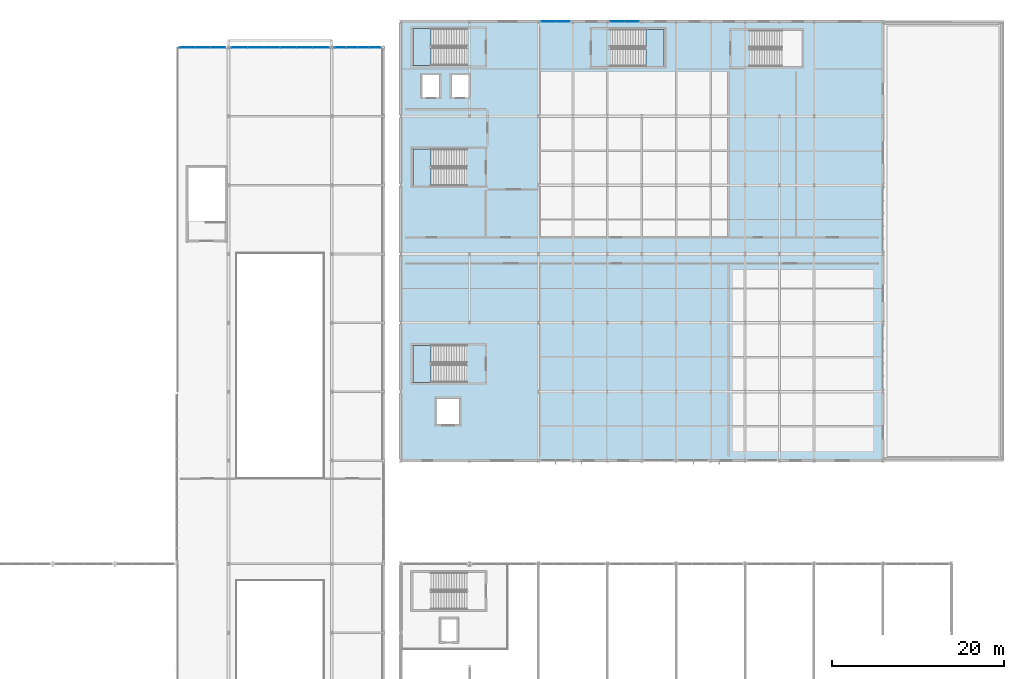
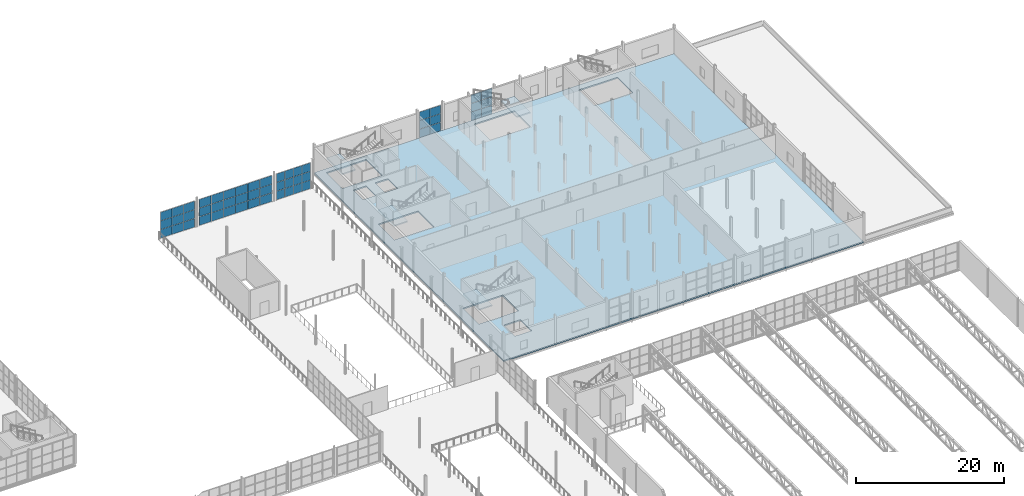
# One storey, part 114 of 143: 51 plates, 5 slabs, 9 elements without a shape of their own.
"""IFC4 building model written with IfcOpenShell, lengths in metres."""

from ifc_helpers import new_model, si_unit, derived_unit, direction, frame, origin, origin_2d, place, context, subcontext, project, spatial, polyline, rectangle, outline, extrude, material, layer, layer_set, type_object, element, aggregate, save


model = new_model("IFC4")

# Units and contexts
model_context = context("Model", 3, precision=1e-05, world=origin(), true_north=direction((0.0, 1.0)))
body_context = subcontext(model_context, "Body", "Model", "MODEL_VIEW")
ifc_project = project(units=[si_unit("LENGTHUNIT", "METRE"), si_unit("AREAUNIT", "SQUARE_METRE"), si_unit("VOLUMEUNIT", "CUBIC_METRE"), si_unit("PLANEANGLEUNIT", "RADIAN"), si_unit("MASSUNIT", "GRAM", prefix="KILO"), derived_unit("THERMALTRANSMITTANCEUNIT", [(si_unit("POWERUNIT", "WATT"), 1), (si_unit("LENGTHUNIT", "METRE"), -2), (si_unit("THERMODYNAMICTEMPERATUREUNIT", "KELVIN"), -1)])], contexts=[model_context])

# Site, building, storey
site_placement = place(None, origin())
site = spatial("IfcSite", under=ifc_project, at=site_placement, CompositionType="ELEMENT")
building_placement = place(site_placement, origin())
building = spatial("IfcBuilding", under=site, at=building_placement, Name="Keldorne Ridge Multi-Sports Centre", CompositionType="ELEMENT")
storey_placement = place(building_placement, frame((0.0, 0.0, 4.800048828125)))
storey = spatial("IfcBuildingStorey", under=building, at=storey_placement, Name="L01", CompositionType="ELEMENT", Elevation=4.800048828125)

# Curtain wall, plates
ifc_material_1 = material(Name="Anodized aluminium", Category="aluminium")
curtain_wall_type_1 = type_object("IfcCurtainWallType", Name="CW-CW-07", PredefinedType="NOTDEFINED", material=ifc_material_1)
curtain_wall_1_placement = place(storey_placement, origin())
curtain_wall_1 = element("IfcCurtainWall", 1, at=curtain_wall_1_placement, inside=storey, type_object=curtain_wall_type_1, Name="East Wing L01 north curtain wall 143", PredefinedType="NOTDEFINED")
ifc_material_2 = material(Name="Double low-e insulated glazing", Category="glass")
ifc_layer_1 = layer(ifc_material_2, 0.035888671875)
ifc_layer_set_1 = layer_set([ifc_layer_1])
plate_type_1 = type_object("IfcPlateType", Name="PLT-GL-01", PredefinedType="CURTAIN_PANEL", material=ifc_layer_set_1)
plate_1_placement = place(storey_placement, frame((122.830078125, 117.0, 0.02001953125), z_axis=(0.0, 0.0, 1.0), x_axis=(-1.0, 0.0, 0.0)))
plate_1 = element("IfcPlate", 2, at=plate_1_placement, type_object=plate_type_1, Name="CW-143 glazed panel 1.1", PredefinedType="CURTAIN_PANEL", context=body_context, shape_type="SweptSolid", body=[
    extrude(rectangle(XDim=1.6201171875, YDim=0.035888671875, at=origin_2d()), origin(), (0.0, 0.0, 1.0), 1.376708984375),
])
plate_2_placement = place(storey_placement, frame((122.830078125, 117.0, 1.4365234375), z_axis=(0.0, 0.0, 1.0), x_axis=(-1.0, 0.0, 0.0)))
plate_2 = element("IfcPlate", 3, at=plate_2_placement, type_object=plate_type_1, Name="CW-143 glazed panel 1.2", PredefinedType="CURTAIN_PANEL", context=body_context, shape_type="SweptSolid", body=[
    extrude(rectangle(XDim=1.6201171875, YDim=0.035888671875, at=origin_2d()), origin(), (0.0, 0.0, 1.0), 1.376708984375),
])
plate_3_placement = place(storey_placement, frame((122.830078125, 117.0, 2.853515625), z_axis=(0.0, 0.0, 1.0), x_axis=(-1.0, 0.0, 0.0)))
plate_3 = element("IfcPlate", 4, at=plate_3_placement, type_object=plate_type_1, Name="CW-143 glazed panel 1.3", PredefinedType="CURTAIN_PANEL", context=body_context, shape_type="SweptSolid", body=[
    extrude(rectangle(XDim=1.6201171875, YDim=0.035888671875, at=origin_2d()), origin(), (0.0, 0.0, 1.0), 1.376708984375),
])
plate_4_placement = place(storey_placement, frame((121.169921875, 117.0, 0.02001953125), z_axis=(0.0, 0.0, 1.0), x_axis=(-1.0, 0.0, 0.0)))
plate_4 = element("IfcPlate", 5, at=plate_4_placement, type_object=plate_type_1, Name="CW-143 glazed panel 2.1", PredefinedType="CURTAIN_PANEL", context=body_context, shape_type="SweptSolid", body=[
    extrude(rectangle(XDim=1.6201171875, YDim=0.035888671875, at=origin_2d()), origin(), (0.0, 0.0, 1.0), 1.376708984375),
])
plate_5_placement = place(storey_placement, frame((121.169921875, 117.0, 1.4365234375), z_axis=(0.0, 0.0, 1.0), x_axis=(-1.0, 0.0, 0.0)))
plate_5 = element("IfcPlate", 6, at=plate_5_placement, type_object=plate_type_1, Name="CW-143 glazed panel 2.2", PredefinedType="CURTAIN_PANEL", context=body_context, shape_type="SweptSolid", body=[
    extrude(rectangle(XDim=1.6201171875, YDim=0.035888671875, at=origin_2d()), origin(), (0.0, 0.0, 1.0), 1.376708984375),
])
plate_6_placement = place(storey_placement, frame((121.169921875, 117.0, 2.853515625), z_axis=(0.0, 0.0, 1.0), x_axis=(-1.0, 0.0, 0.0)))
plate_6 = element("IfcPlate", 7, at=plate_6_placement, type_object=plate_type_1, Name="CW-143 glazed panel 2.3", PredefinedType="CURTAIN_PANEL", context=body_context, shape_type="SweptSolid", body=[
    extrude(rectangle(XDim=1.6201171875, YDim=0.035888671875, at=origin_2d()), origin(), (0.0, 0.0, 1.0), 1.376708984375),
])
aggregate(curtain_wall_1, [plate_1, plate_2, plate_3, plate_4, plate_5, plate_6])

curtain_wall_type_2 = type_object("IfcCurtainWallType", Name="CW-CW-08", PredefinedType="NOTDEFINED", material=ifc_material_1)
curtain_wall_2_placement = place(storey_placement, origin())
curtain_wall_2 = element("IfcCurtainWall", 8, at=curtain_wall_2_placement, inside=storey, type_object=curtain_wall_type_2, Name="East Wing L01 north curtain wall 144", PredefinedType="NOTDEFINED")
plate_7_placement = place(storey_placement, frame((130.830078125, 117.0, 0.02001953125), z_axis=(0.0, 0.0, 1.0), x_axis=(-1.0, 0.0, 0.0)))
plate_7 = element("IfcPlate", 9, at=plate_7_placement, type_object=plate_type_1, Name="CW-144 glazed panel 1.1", PredefinedType="CURTAIN_PANEL", context=body_context, shape_type="SweptSolid", body=[
    extrude(rectangle(XDim=1.6201171875, YDim=0.035888671875, at=origin_2d()), origin(), (0.0, 0.0, 1.0), 1.376708984375),
])
plate_8_placement = place(storey_placement, frame((130.830078125, 117.0, 1.4365234375), z_axis=(0.0, 0.0, 1.0), x_axis=(-1.0, 0.0, 0.0)))
plate_8 = element("IfcPlate", 10, at=plate_8_placement, type_object=plate_type_1, Name="CW-144 glazed panel 1.2", PredefinedType="CURTAIN_PANEL", context=body_context, shape_type="SweptSolid", body=[
    extrude(rectangle(XDim=1.6201171875, YDim=0.035888671875, at=origin_2d()), origin(), (0.0, 0.0, 1.0), 1.376708984375),
])
plate_9_placement = place(storey_placement, frame((130.830078125, 117.0, 2.853515625), z_axis=(0.0, 0.0, 1.0), x_axis=(-1.0, 0.0, 0.0)))
plate_9 = element("IfcPlate", 11, at=plate_9_placement, type_object=plate_type_1, Name="CW-144 glazed panel 1.3", PredefinedType="CURTAIN_PANEL", context=body_context, shape_type="SweptSolid", body=[
    extrude(rectangle(XDim=1.6201171875, YDim=0.035888671875, at=origin_2d()), origin(), (0.0, 0.0, 1.0), 1.376708984375),
])
plate_10_placement = place(storey_placement, frame((129.169921875, 117.0, 0.02001953125), z_axis=(0.0, 0.0, 1.0), x_axis=(-1.0, 0.0, 0.0)))
plate_10 = element("IfcPlate", 12, at=plate_10_placement, type_object=plate_type_1, Name="CW-144 glazed panel 2.1", PredefinedType="CURTAIN_PANEL", context=body_context, shape_type="SweptSolid", body=[
    extrude(rectangle(XDim=1.6201171875, YDim=0.035888671875, at=origin_2d()), origin(), (0.0, 0.0, 1.0), 1.376708984375),
])
plate_11_placement = place(storey_placement, frame((129.169921875, 117.0, 1.4365234375), z_axis=(0.0, 0.0, 1.0), x_axis=(-1.0, 0.0, 0.0)))
plate_11 = element("IfcPlate", 13, at=plate_11_placement, type_object=plate_type_1, Name="CW-144 glazed panel 2.2", PredefinedType="CURTAIN_PANEL", context=body_context, shape_type="SweptSolid", body=[
    extrude(rectangle(XDim=1.6201171875, YDim=0.035888671875, at=origin_2d()), origin(), (0.0, 0.0, 1.0), 1.376708984375),
])
plate_12_placement = place(storey_placement, frame((129.169921875, 117.0, 2.853515625), z_axis=(0.0, 0.0, 1.0), x_axis=(-1.0, 0.0, 0.0)))
plate_12 = element("IfcPlate", 14, at=plate_12_placement, type_object=plate_type_1, Name="CW-144 glazed panel 2.3", PredefinedType="CURTAIN_PANEL", context=body_context, shape_type="SweptSolid", body=[
    extrude(rectangle(XDim=1.6201171875, YDim=0.035888671875, at=origin_2d()), origin(), (0.0, 0.0, 1.0), 1.376708984375),
])
aggregate(curtain_wall_2, [plate_7, plate_8, plate_9, plate_10, plate_11, plate_12])

curtain_wall_3_placement = place(storey_placement, origin())
curtain_wall_3 = element("IfcCurtainWall", 15, at=curtain_wall_3_placement, inside=storey, type_object=curtain_wall_type_1, Name="Public Passage N upper glazing 079", PredefinedType="NOTDEFINED")
ifc_material_3 = material(Name="Triple acoustic low-e glazing", Category="glass")
ifc_layer_2 = layer(ifc_material_3, 0.0439453125)
ifc_layer_set_2 = layer_set([ifc_layer_2])
plate_type_2 = type_object("IfcPlateType", Name="PLT-GL-02", PredefinedType="CURTAIN_PANEL", material=ifc_layer_set_2)
plate_13_placement = place(storey_placement, frame((100.9951171875, 114.0, 0.02001953125), z_axis=(0.0, 0.0, 1.0), x_axis=(-1.0, 0.0, 0.0)))
plate_13 = element("IfcPlate", 16, at=plate_13_placement, type_object=plate_type_2, Name="CW-079 glazed panel 1.1", PredefinedType="CURTAIN_PANEL", context=body_context, shape_type="SweptSolid", body=[
    extrude(rectangle(XDim=1.2900390625, YDim=0.0439453125, at=origin_2d()), origin(), (0.0, 0.0, 1.0), 1.393310546875),
])
plate_14_placement = place(storey_placement, frame((100.9951171875, 114.0, 1.453125), z_axis=(0.0, 0.0, 1.0), x_axis=(-1.0, 0.0, 0.0)))
plate_14 = element("IfcPlate", 17, at=plate_14_placement, type_object=plate_type_2, Name="CW-079 glazed panel 1.2", PredefinedType="CURTAIN_PANEL", context=body_context, shape_type="SweptSolid", body=[
    extrude(rectangle(XDim=1.2900390625, YDim=0.0439453125, at=origin_2d()), origin(), (0.0, 0.0, 1.0), 1.393310546875),
])
plate_15_placement = place(storey_placement, frame((100.9951171875, 114.0, 2.88671875), z_axis=(0.0, 0.0, 1.0), x_axis=(-1.0, 0.0, 0.0)))
plate_15 = element("IfcPlate", 18, at=plate_15_placement, type_object=plate_type_2, Name="CW-079 glazed panel 1.3", PredefinedType="CURTAIN_PANEL", context=body_context, shape_type="SweptSolid", body=[
    extrude(rectangle(XDim=1.2900390625, YDim=0.0439453125, at=origin_2d()), origin(), (0.0, 0.0, 1.0), 1.393310546875),
])
plate_16_placement = place(storey_placement, frame((99.6650390625, 114.0, 0.02001953125), z_axis=(0.0, 0.0, 1.0), x_axis=(-1.0, 0.0, 0.0)))
plate_16 = element("IfcPlate", 19, at=plate_16_placement, type_object=plate_type_2, Name="CW-079 glazed panel 2.1", PredefinedType="CURTAIN_PANEL", context=body_context, shape_type="SweptSolid", body=[
    extrude(rectangle(XDim=1.2900390625, YDim=0.0439453125, at=origin_2d()), origin(), (0.0, 0.0, 1.0), 1.393310546875),
])
plate_17_placement = place(storey_placement, frame((99.6650390625, 114.0, 1.453125), z_axis=(0.0, 0.0, 1.0), x_axis=(-1.0, 0.0, 0.0)))
plate_17 = element("IfcPlate", 20, at=plate_17_placement, type_object=plate_type_2, Name="CW-079 glazed panel 2.2", PredefinedType="CURTAIN_PANEL", context=body_context, shape_type="SweptSolid", body=[
    extrude(rectangle(XDim=1.2900390625, YDim=0.0439453125, at=origin_2d()), origin(), (0.0, 0.0, 1.0), 1.393310546875),
])
plate_18_placement = place(storey_placement, frame((99.6650390625, 114.0, 2.88671875), z_axis=(0.0, 0.0, 1.0), x_axis=(-1.0, 0.0, 0.0)))
plate_18 = element("IfcPlate", 21, at=plate_18_placement, type_object=plate_type_2, Name="CW-079 glazed panel 2.3", PredefinedType="CURTAIN_PANEL", context=body_context, shape_type="SweptSolid", body=[
    extrude(rectangle(XDim=1.2900390625, YDim=0.0439453125, at=origin_2d()), origin(), (0.0, 0.0, 1.0), 1.393310546875),
])
plate_19_placement = place(storey_placement, frame((98.3349609375, 114.0, 0.02001953125), z_axis=(0.0, 0.0, 1.0), x_axis=(-1.0, 0.0, 0.0)))
plate_19 = element("IfcPlate", 22, at=plate_19_placement, type_object=plate_type_2, Name="CW-079 glazed panel 3.1", PredefinedType="CURTAIN_PANEL", context=body_context, shape_type="SweptSolid", body=[
    extrude(rectangle(XDim=1.2900390625, YDim=0.0439453125, at=origin_2d()), origin(), (0.0, 0.0, 1.0), 1.393310546875),
])
plate_20_placement = place(storey_placement, frame((98.3349609375, 114.0, 1.453125), z_axis=(0.0, 0.0, 1.0), x_axis=(-1.0, 0.0, 0.0)))
plate_20 = element("IfcPlate", 23, at=plate_20_placement, type_object=plate_type_2, Name="CW-079 glazed panel 3.2", PredefinedType="CURTAIN_PANEL", context=body_context, shape_type="SweptSolid", body=[
    extrude(rectangle(XDim=1.2900390625, YDim=0.0439453125, at=origin_2d()), origin(), (0.0, 0.0, 1.0), 1.393310546875),
])
plate_21_placement = place(storey_placement, frame((98.3349609375, 114.0, 2.88671875), z_axis=(0.0, 0.0, 1.0), x_axis=(-1.0, 0.0, 0.0)))
plate_21 = element("IfcPlate", 24, at=plate_21_placement, type_object=plate_type_2, Name="CW-079 glazed panel 3.3", PredefinedType="CURTAIN_PANEL", context=body_context, shape_type="SweptSolid", body=[
    extrude(rectangle(XDim=1.2900390625, YDim=0.0439453125, at=origin_2d()), origin(), (0.0, 0.0, 1.0), 1.393310546875),
])
plate_22_placement = place(storey_placement, frame((97.0048828125, 114.0, 0.02001953125), z_axis=(0.0, 0.0, 1.0), x_axis=(-1.0, 0.0, 0.0)))
plate_22 = element("IfcPlate", 25, at=plate_22_placement, type_object=plate_type_2, Name="CW-079 glazed panel 4.1", PredefinedType="CURTAIN_PANEL", context=body_context, shape_type="SweptSolid", body=[
    extrude(rectangle(XDim=1.2900390625, YDim=0.0439453125, at=origin_2d()), origin(), (0.0, 0.0, 1.0), 1.393310546875),
])
plate_23_placement = place(storey_placement, frame((97.0048828125, 114.0, 1.453125), z_axis=(0.0, 0.0, 1.0), x_axis=(-1.0, 0.0, 0.0)))
plate_23 = element("IfcPlate", 26, at=plate_23_placement, type_object=plate_type_2, Name="CW-079 glazed panel 4.2", PredefinedType="CURTAIN_PANEL", context=body_context, shape_type="SweptSolid", body=[
    extrude(rectangle(XDim=1.2900390625, YDim=0.0439453125, at=origin_2d()), origin(), (0.0, 0.0, 1.0), 1.393310546875),
])
plate_24_placement = place(storey_placement, frame((97.0048828125, 114.0, 2.88671875), z_axis=(0.0, 0.0, 1.0), x_axis=(-1.0, 0.0, 0.0)))
plate_24 = element("IfcPlate", 27, at=plate_24_placement, type_object=plate_type_2, Name="CW-079 glazed panel 4.3", PredefinedType="CURTAIN_PANEL", context=body_context, shape_type="SweptSolid", body=[
    extrude(rectangle(XDim=1.2900390625, YDim=0.0439453125, at=origin_2d()), origin(), (0.0, 0.0, 1.0), 1.393310546875),
])
aggregate(curtain_wall_3, [plate_13, plate_14, plate_15, plate_16, plate_17, plate_18, plate_19, plate_20, plate_21, plate_22, plate_23, plate_24])

curtain_wall_4_placement = place(storey_placement, origin())
curtain_wall_4 = element("IfcCurtainWall", 28, at=curtain_wall_4_placement, inside=storey, type_object=curtain_wall_type_2, Name="Public Passage N upper portal glazing 080", PredefinedType="NOTDEFINED")
plate_25_placement = place(storey_placement, frame((94.716796875, 114.0, 0.02001953125), z_axis=(0.0, 0.0, 1.0), x_axis=(-1.0, 0.0, 0.0)))
plate_25 = element("IfcPlate", 29, at=plate_25_placement, type_object=plate_type_2, Name="CW-080 glazed panel 1.1", PredefinedType="CURTAIN_PANEL", context=body_context, shape_type="SweptSolid", body=[
    extrude(rectangle(XDim=1.8466796875, YDim=0.0439453125, at=origin_2d()), origin(), (0.0, 0.0, 1.0), 1.393310546875),
])
plate_26_placement = place(storey_placement, frame((94.716796875, 114.0, 1.453125), z_axis=(0.0, 0.0, 1.0), x_axis=(-1.0, 0.0, 0.0)))
plate_26 = element("IfcPlate", 30, at=plate_26_placement, type_object=plate_type_2, Name="CW-080 glazed panel 1.2", PredefinedType="CURTAIN_PANEL", context=body_context, shape_type="SweptSolid", body=[
    extrude(rectangle(XDim=1.8466796875, YDim=0.0439453125, at=origin_2d()), origin(), (0.0, 0.0, 1.0), 1.393310546875),
])
plate_27_placement = place(storey_placement, frame((94.716796875, 114.0, 2.88671875), z_axis=(0.0, 0.0, 1.0), x_axis=(-1.0, 0.0, 0.0)))
plate_27 = element("IfcPlate", 31, at=plate_27_placement, type_object=plate_type_2, Name="CW-080 glazed panel 1.3", PredefinedType="CURTAIN_PANEL", context=body_context, shape_type="SweptSolid", body=[
    extrude(rectangle(XDim=1.8466796875, YDim=0.0439453125, at=origin_2d()), origin(), (0.0, 0.0, 1.0), 1.393310546875),
])
plate_28_placement = place(storey_placement, frame((92.830078125, 114.0, 0.02001953125), z_axis=(0.0, 0.0, 1.0), x_axis=(-1.0, 0.0, 0.0)))
plate_28 = element("IfcPlate", 32, at=plate_28_placement, type_object=plate_type_2, Name="CW-080 glazed panel 2.1", PredefinedType="CURTAIN_PANEL", context=body_context, shape_type="SweptSolid", body=[
    extrude(rectangle(XDim=1.8466796875, YDim=0.0439453125, at=origin_2d()), origin(), (0.0, 0.0, 1.0), 1.393310546875),
])
plate_29_placement = place(storey_placement, frame((92.830078125, 114.0, 1.453125), z_axis=(0.0, 0.0, 1.0), x_axis=(-1.0, 0.0, 0.0)))
plate_29 = element("IfcPlate", 33, at=plate_29_placement, type_object=plate_type_2, Name="CW-080 glazed panel 2.2", PredefinedType="CURTAIN_PANEL", context=body_context, shape_type="SweptSolid", body=[
    extrude(rectangle(XDim=1.8466796875, YDim=0.0439453125, at=origin_2d()), origin(), (0.0, 0.0, 1.0), 1.393310546875),
])
plate_30_placement = place(storey_placement, frame((92.830078125, 114.0, 2.88671875), z_axis=(0.0, 0.0, 1.0), x_axis=(-1.0, 0.0, 0.0)))
plate_30 = element("IfcPlate", 34, at=plate_30_placement, type_object=plate_type_2, Name="CW-080 glazed panel 2.3", PredefinedType="CURTAIN_PANEL", context=body_context, shape_type="SweptSolid", body=[
    extrude(rectangle(XDim=1.8466796875, YDim=0.0439453125, at=origin_2d()), origin(), (0.0, 0.0, 1.0), 1.393310546875),
])
plate_31_placement = place(storey_placement, frame((90.943359375, 114.0, 0.02001953125), z_axis=(0.0, 0.0, 1.0), x_axis=(-1.0, 0.0, 0.0)))
plate_31 = element("IfcPlate", 35, at=plate_31_placement, type_object=plate_type_2, Name="CW-080 glazed panel 3.1", PredefinedType="CURTAIN_PANEL", context=body_context, shape_type="SweptSolid", body=[
    extrude(rectangle(XDim=1.8466796875, YDim=0.0439453125, at=origin_2d()), origin(), (0.0, 0.0, 1.0), 1.393310546875),
])
plate_32_placement = place(storey_placement, frame((90.943359375, 114.0, 1.453125), z_axis=(0.0, 0.0, 1.0), x_axis=(-1.0, 0.0, 0.0)))
plate_32 = element("IfcPlate", 36, at=plate_32_placement, type_object=plate_type_2, Name="CW-080 glazed panel 3.2", PredefinedType="CURTAIN_PANEL", context=body_context, shape_type="SweptSolid", body=[
    extrude(rectangle(XDim=1.8466796875, YDim=0.0439453125, at=origin_2d()), origin(), (0.0, 0.0, 1.0), 1.393310546875),
])
plate_33_placement = place(storey_placement, frame((90.943359375, 114.0, 2.88671875), z_axis=(0.0, 0.0, 1.0), x_axis=(-1.0, 0.0, 0.0)))
plate_33 = element("IfcPlate", 37, at=plate_33_placement, type_object=plate_type_2, Name="CW-080 glazed panel 3.3", PredefinedType="CURTAIN_PANEL", context=body_context, shape_type="SweptSolid", body=[
    extrude(rectangle(XDim=1.8466796875, YDim=0.0439453125, at=origin_2d()), origin(), (0.0, 0.0, 1.0), 1.393310546875),
])
plate_34_placement = place(storey_placement, frame((89.056640625, 114.0, 0.02001953125), z_axis=(0.0, 0.0, 1.0), x_axis=(-1.0, 0.0, 0.0)))
plate_34 = element("IfcPlate", 38, at=plate_34_placement, type_object=plate_type_2, Name="CW-080 glazed panel 4.1", PredefinedType="CURTAIN_PANEL", context=body_context, shape_type="SweptSolid", body=[
    extrude(rectangle(XDim=1.8466796875, YDim=0.0439453125, at=origin_2d()), origin(), (0.0, 0.0, 1.0), 1.393310546875),
])
plate_35_placement = place(storey_placement, frame((89.056640625, 114.0, 1.453125), z_axis=(0.0, 0.0, 1.0), x_axis=(-1.0, 0.0, 0.0)))
plate_35 = element("IfcPlate", 39, at=plate_35_placement, type_object=plate_type_2, Name="CW-080 glazed panel 4.2", PredefinedType="CURTAIN_PANEL", context=body_context, shape_type="SweptSolid", body=[
    extrude(rectangle(XDim=1.8466796875, YDim=0.0439453125, at=origin_2d()), origin(), (0.0, 0.0, 1.0), 1.393310546875),
])
plate_36_placement = place(storey_placement, frame((89.056640625, 114.0, 2.88671875), z_axis=(0.0, 0.0, 1.0), x_axis=(-1.0, 0.0, 0.0)))
plate_36 = element("IfcPlate", 40, at=plate_36_placement, type_object=plate_type_2, Name="CW-080 glazed panel 4.3", PredefinedType="CURTAIN_PANEL", context=body_context, shape_type="SweptSolid", body=[
    extrude(rectangle(XDim=1.8466796875, YDim=0.0439453125, at=origin_2d()), origin(), (0.0, 0.0, 1.0), 1.393310546875),
])
plate_37_placement = place(storey_placement, frame((87.169921875, 114.0, 0.02001953125), z_axis=(0.0, 0.0, 1.0), x_axis=(-1.0, 0.0, 0.0)))
plate_37 = element("IfcPlate", 41, at=plate_37_placement, type_object=plate_type_2, Name="CW-080 glazed panel 5.1", PredefinedType="CURTAIN_PANEL", context=body_context, shape_type="SweptSolid", body=[
    extrude(rectangle(XDim=1.8466796875, YDim=0.0439453125, at=origin_2d()), origin(), (0.0, 0.0, 1.0), 1.393310546875),
])
plate_38_placement = place(storey_placement, frame((87.169921875, 114.0, 1.453125), z_axis=(0.0, 0.0, 1.0), x_axis=(-1.0, 0.0, 0.0)))
plate_38 = element("IfcPlate", 42, at=plate_38_placement, type_object=plate_type_2, Name="CW-080 glazed panel 5.2", PredefinedType="CURTAIN_PANEL", context=body_context, shape_type="SweptSolid", body=[
    extrude(rectangle(XDim=1.8466796875, YDim=0.0439453125, at=origin_2d()), origin(), (0.0, 0.0, 1.0), 1.393310546875),
])
plate_39_placement = place(storey_placement, frame((87.169921875, 114.0, 2.88671875), z_axis=(0.0, 0.0, 1.0), x_axis=(-1.0, 0.0, 0.0)))
plate_39 = element("IfcPlate", 43, at=plate_39_placement, type_object=plate_type_2, Name="CW-080 glazed panel 5.3", PredefinedType="CURTAIN_PANEL", context=body_context, shape_type="SweptSolid", body=[
    extrude(rectangle(XDim=1.8466796875, YDim=0.0439453125, at=origin_2d()), origin(), (0.0, 0.0, 1.0), 1.393310546875),
])
plate_40_placement = place(storey_placement, frame((85.283203125, 114.0, 0.02001953125), z_axis=(0.0, 0.0, 1.0), x_axis=(-1.0, 0.0, 0.0)))
plate_40 = element("IfcPlate", 44, at=plate_40_placement, type_object=plate_type_2, Name="CW-080 glazed panel 6.1", PredefinedType="CURTAIN_PANEL", context=body_context, shape_type="SweptSolid", body=[
    extrude(rectangle(XDim=1.8466796875, YDim=0.0439453125, at=origin_2d()), origin(), (0.0, 0.0, 1.0), 1.393310546875),
])
plate_41_placement = place(storey_placement, frame((85.283203125, 114.0, 1.453125), z_axis=(0.0, 0.0, 1.0), x_axis=(-1.0, 0.0, 0.0)))
plate_41 = element("IfcPlate", 45, at=plate_41_placement, type_object=plate_type_2, Name="CW-080 glazed panel 6.2", PredefinedType="CURTAIN_PANEL", context=body_context, shape_type="SweptSolid", body=[
    extrude(rectangle(XDim=1.8466796875, YDim=0.0439453125, at=origin_2d()), origin(), (0.0, 0.0, 1.0), 1.393310546875),
])
plate_42_placement = place(storey_placement, frame((85.283203125, 114.0, 2.88671875), z_axis=(0.0, 0.0, 1.0), x_axis=(-1.0, 0.0, 0.0)))
plate_42 = element("IfcPlate", 46, at=plate_42_placement, type_object=plate_type_2, Name="CW-080 glazed panel 6.3", PredefinedType="CURTAIN_PANEL", context=body_context, shape_type="SweptSolid", body=[
    extrude(rectangle(XDim=1.8466796875, YDim=0.0439453125, at=origin_2d()), origin(), (0.0, 0.0, 1.0), 1.393310546875),
])
aggregate(curtain_wall_4, [plate_25, plate_26, plate_27, plate_28, plate_29, plate_30, plate_31, plate_32, plate_33, plate_34, plate_35, plate_36, plate_37, plate_38, plate_39, plate_40, plate_41, plate_42])

curtain_wall_type_3 = type_object("IfcCurtainWallType", Name="CW-CW-02", PredefinedType="NOTDEFINED", material=ifc_material_1)
curtain_wall_5_placement = place(storey_placement, origin())
curtain_wall_5 = element("IfcCurtainWall", 47, at=curtain_wall_5_placement, inside=storey, type_object=curtain_wall_type_3, Name="Public Passage N upper glazing 082", PredefinedType="NOTDEFINED")
plate_43_placement = place(storey_placement, frame((82.773193359375, 114.0, 0.02001953125), z_axis=(0.0, 0.0, 1.0), x_axis=(-1.0, 0.0, 0.0)))
plate_43 = element("IfcPlate", 48, at=plate_43_placement, type_object=plate_type_2, Name="CW-082 glazed panel 1.1", PredefinedType="CURTAIN_PANEL", context=body_context, shape_type="SweptSolid", body=[
    extrude(rectangle(XDim=1.7333984375, YDim=0.0439453125, at=origin_2d()), origin(), (0.0, 0.0, 1.0), 1.393310546875),
])
plate_44_placement = place(storey_placement, frame((82.773193359375, 114.0, 1.453125), z_axis=(0.0, 0.0, 1.0), x_axis=(-1.0, 0.0, 0.0)))
plate_44 = element("IfcPlate", 49, at=plate_44_placement, type_object=plate_type_2, Name="CW-082 glazed panel 1.2", PredefinedType="CURTAIN_PANEL", context=body_context, shape_type="SweptSolid", body=[
    extrude(rectangle(XDim=1.7333984375, YDim=0.0439453125, at=origin_2d()), origin(), (0.0, 0.0, 1.0), 1.393310546875),
])
plate_45_placement = place(storey_placement, frame((82.773193359375, 114.0, 2.88671875), z_axis=(0.0, 0.0, 1.0), x_axis=(-1.0, 0.0, 0.0)))
plate_45 = element("IfcPlate", 50, at=plate_45_placement, type_object=plate_type_2, Name="CW-082 glazed panel 1.3", PredefinedType="CURTAIN_PANEL", context=body_context, shape_type="SweptSolid", body=[
    extrude(rectangle(XDim=1.7333984375, YDim=0.0439453125, at=origin_2d()), origin(), (0.0, 0.0, 1.0), 1.393310546875),
])
plate_46_placement = place(storey_placement, frame((81.0, 114.0, 0.02001953125), z_axis=(0.0, 0.0, 1.0), x_axis=(-1.0, 0.0, 0.0)))
plate_46 = element("IfcPlate", 51, at=plate_46_placement, type_object=plate_type_2, Name="CW-082 glazed panel 2.1", PredefinedType="CURTAIN_PANEL", context=body_context, shape_type="SweptSolid", body=[
    extrude(rectangle(XDim=1.7333984375, YDim=0.0439453125, at=origin_2d()), origin(), (0.0, 0.0, 1.0), 1.393310546875),
])
plate_47_placement = place(storey_placement, frame((81.0, 114.0, 1.453125), z_axis=(0.0, 0.0, 1.0), x_axis=(-1.0, 0.0, 0.0)))
plate_47 = element("IfcPlate", 52, at=plate_47_placement, type_object=plate_type_2, Name="CW-082 glazed panel 2.2", PredefinedType="CURTAIN_PANEL", context=body_context, shape_type="SweptSolid", body=[
    extrude(rectangle(XDim=1.7333984375, YDim=0.0439453125, at=origin_2d()), origin(), (0.0, 0.0, 1.0), 1.393310546875),
])
plate_48_placement = place(storey_placement, frame((81.0, 114.0, 2.88671875), z_axis=(0.0, 0.0, 1.0), x_axis=(-1.0, 0.0, 0.0)))
plate_48 = element("IfcPlate", 53, at=plate_48_placement, type_object=plate_type_2, Name="CW-082 glazed panel 2.3", PredefinedType="CURTAIN_PANEL", context=body_context, shape_type="SweptSolid", body=[
    extrude(rectangle(XDim=1.7333984375, YDim=0.0439453125, at=origin_2d()), origin(), (0.0, 0.0, 1.0), 1.393310546875),
])
plate_49_placement = place(storey_placement, frame((79.226806640625, 114.0, 0.02001953125), z_axis=(0.0, 0.0, 1.0), x_axis=(-1.0, 0.0, 0.0)))
plate_49 = element("IfcPlate", 54, at=plate_49_placement, type_object=plate_type_2, Name="CW-082 glazed panel 3.1", PredefinedType="CURTAIN_PANEL", context=body_context, shape_type="SweptSolid", body=[
    extrude(rectangle(XDim=1.7333984375, YDim=0.0439453125, at=origin_2d()), origin(), (0.0, 0.0, 1.0), 1.393310546875),
])
plate_50_placement = place(storey_placement, frame((79.226806640625, 114.0, 1.453125), z_axis=(0.0, 0.0, 1.0), x_axis=(-1.0, 0.0, 0.0)))
plate_50 = element("IfcPlate", 55, at=plate_50_placement, type_object=plate_type_2, Name="CW-082 glazed panel 3.2", PredefinedType="CURTAIN_PANEL", context=body_context, shape_type="SweptSolid", body=[
    extrude(rectangle(XDim=1.7333984375, YDim=0.0439453125, at=origin_2d()), origin(), (0.0, 0.0, 1.0), 1.393310546875),
])
plate_51_placement = place(storey_placement, frame((79.226806640625, 114.0, 2.88671875), z_axis=(0.0, 0.0, 1.0), x_axis=(-1.0, 0.0, 0.0)))
plate_51 = element("IfcPlate", 56, at=plate_51_placement, type_object=plate_type_2, Name="CW-082 glazed panel 3.3", PredefinedType="CURTAIN_PANEL", context=body_context, shape_type="SweptSolid", body=[
    extrude(rectangle(XDim=1.7333984375, YDim=0.0439453125, at=origin_2d()), origin(), (0.0, 0.0, 1.0), 1.393310546875),
])
aggregate(curtain_wall_5, [plate_43, plate_44, plate_45, plate_46, plate_47, plate_48, plate_49, plate_50, plate_51])

# Stair, slab
ifc_material_4 = material(Name="Concrete C35/45", Category="concrete")
stair_type = type_object("IfcStairType", Name="STR-S01", PredefinedType="HALF_TURN_STAIR", material=ifc_material_4)
stair_1_placement = place(storey_placement, origin())
stair_1 = element("IfcStair", 57, at=stair_1_placement, inside=storey, type_object=stair_type, Name="L01 North-East Primary Clinical Core C1", PredefinedType="HALF_TURN_STAIR")
ifc_layer_3 = layer(ifc_material_4, 0.199951171875)
ifc_layer_set_3 = layer_set([ifc_layer_3], Name="Concrete C35/45")
slab_type_1 = type_object("IfcSlabType", Name="SLB-LDG-01", PredefinedType="LANDING", material=ifc_layer_set_3)
slab_1_placement = place(storey_placement, frame((0.0, 0.0, 2.199951171875)))
slab_1 = element("IfcSlab", 58, at=slab_1_placement, type_object=slab_type_1, Name="ST-01 landing 1", PredefinedType="LANDING", context=body_context, shape_type="SweptSolid", body=[
    extrude(outline(polyline([(107.5, 116.199951171875), (105.39990234375, 116.199951171875), (105.39990234375, 111.89990234375), (107.5, 111.89990234375), (107.5, 116.199951171875)])), origin(), (0.0, 0.0, 1.0), 0.199951171875),
])
aggregate(stair_1, [slab_1])

stair_2_placement = place(storey_placement, origin())
stair_2 = element("IfcStair", 59, at=stair_2_placement, inside=storey, type_object=stair_type, Name="L01 East Wing South Core C2", PredefinedType="HALF_TURN_STAIR")
slab_2_placement = place(storey_placement, frame((0.0, 0.0, 2.199951171875)))
slab_2 = element("IfcSlab", 60, at=slab_2_placement, type_object=slab_type_1, Name="ST-02 landing 1", PredefinedType="LANDING", context=body_context, shape_type="SweptSolid", body=[
    extrude(outline(polyline([(107.5, 79.39990234375), (105.39990234375, 79.39990234375), (105.39990234375, 75.10009765625), (107.5, 75.10009765625), (107.5, 79.39990234375)])), origin(), (0.0, 0.0, 1.0), 0.199951171875),
])
aggregate(stair_2, [slab_2])

stair_3_placement = place(storey_placement, origin())
stair_3 = element("IfcStair", 61, at=stair_3_placement, inside=storey, type_object=stair_type, Name="L01 Upper Studio Escape Stair ST-10", PredefinedType="HALF_TURN_STAIR")
slab_3_placement = place(storey_placement, frame((0.0, 0.0, 2.199951171875)))
slab_3 = element("IfcSlab", 62, at=slab_3_placement, type_object=slab_type_1, Name="ST-10 landing 1", PredefinedType="LANDING", context=body_context, shape_type="SweptSolid", body=[
    extrude(outline(polyline([(132.5, 111.800048828125), (134.60009765625, 111.800048828125), (134.60009765625, 116.10009765625), (132.5, 116.10009765625), (132.5, 111.800048828125)])), origin(), (0.0, 0.0, 1.0), 0.199951171875),
])
aggregate(stair_3, [slab_3])

stair_4_placement = place(storey_placement, origin())
stair_4 = element("IfcStair", 63, at=stair_4_placement, inside=storey, type_object=stair_type, Name="L01 Mid-Wing Escape Stair ST-11", PredefinedType="HALF_TURN_STAIR")
slab_4_placement = place(storey_placement, frame((0.0, 0.0, 2.199951171875)))
slab_4 = element("IfcSlab", 64, at=slab_4_placement, type_object=slab_type_1, Name="ST-11 landing 1", PredefinedType="LANDING", context=body_context, shape_type="SweptSolid", body=[
    extrude(outline(polyline([(107.5, 102.199951171875), (105.39990234375, 102.199951171875), (105.39990234375, 97.89990234375), (107.5, 97.89990234375), (107.5, 102.199951171875)])), origin(), (0.0, 0.0, 1.0), 0.199951171875),
])
aggregate(stair_4, [slab_4])

# Slab
ifc_layer_4 = layer(ifc_material_4, 0.219970703125)
ifc_layer_set_4 = layer_set([ifc_layer_4], Name="Concrete C35/45")
slab_type_2 = type_object("IfcSlabType", Name="SLB-SL-F02", PredefinedType="FLOOR", material=ifc_layer_set_4)
slab_5_placement = place(storey_placement, frame((0.0, 0.0, -0.219970703125)))
element("IfcSlab", 65, at=slab_5_placement, inside=storey, type_object=slab_type_2, Name="First floor Public Changing Village slab", PredefinedType="FLOOR", context=body_context, shape_type="SweptSolid", body=[
    extrude(outline(polyline([(104.0, 66.0), (160.0, 66.0), (160.0, 117.0), (104.0, 117.0), (104.0, 66.0)]), holes=[polyline([(105.39990234375, 111.89990234375), (105.39990234375, 116.199951171875), (111.6201171875, 116.199951171875), (111.6201171875, 111.89990234375), (105.39990234375, 111.89990234375)]), polyline([(105.39990234375, 75.10009765625), (105.39990234375, 79.39990234375), (111.6201171875, 79.39990234375), (111.6201171875, 75.10009765625), (105.39990234375, 75.10009765625)]), polyline([(144.580078125, 111.800048828125), (144.580078125, 115.97998046875), (150.60009765625, 115.97998046875), (150.60009765625, 111.800048828125), (144.580078125, 111.800048828125)]), polyline([(128.3798828125, 111.800048828125), (128.3798828125, 116.10009765625), (134.60009765625, 116.10009765625), (134.60009765625, 111.800048828125), (128.3798828125, 111.800048828125)]), polyline([(105.39990234375, 97.89990234375), (105.39990234375, 102.199951171875), (111.6201171875, 102.199951171875), (111.6201171875, 97.89990234375), (105.39990234375, 97.89990234375)]), polyline([(106.5, 108.199951171875), (106.5, 110.800048828125), (108.5, 110.800048828125), (108.5, 108.199951171875), (106.5, 108.199951171875)]), polyline([(109.89990234375, 108.199951171875), (109.89990234375, 110.800048828125), (111.89990234375, 110.800048828125), (111.89990234375, 108.199951171875), (109.89990234375, 108.199951171875)]), polyline([(108.199951171875, 70.199951171875), (108.199951171875, 73.199951171875), (110.800048828125, 73.199951171875), (110.800048828125, 70.199951171875), (108.199951171875, 70.199951171875)])]), origin(), (0.0, 0.0, 1.0), 0.219970703125),
])

save(model, "model.ifc")
